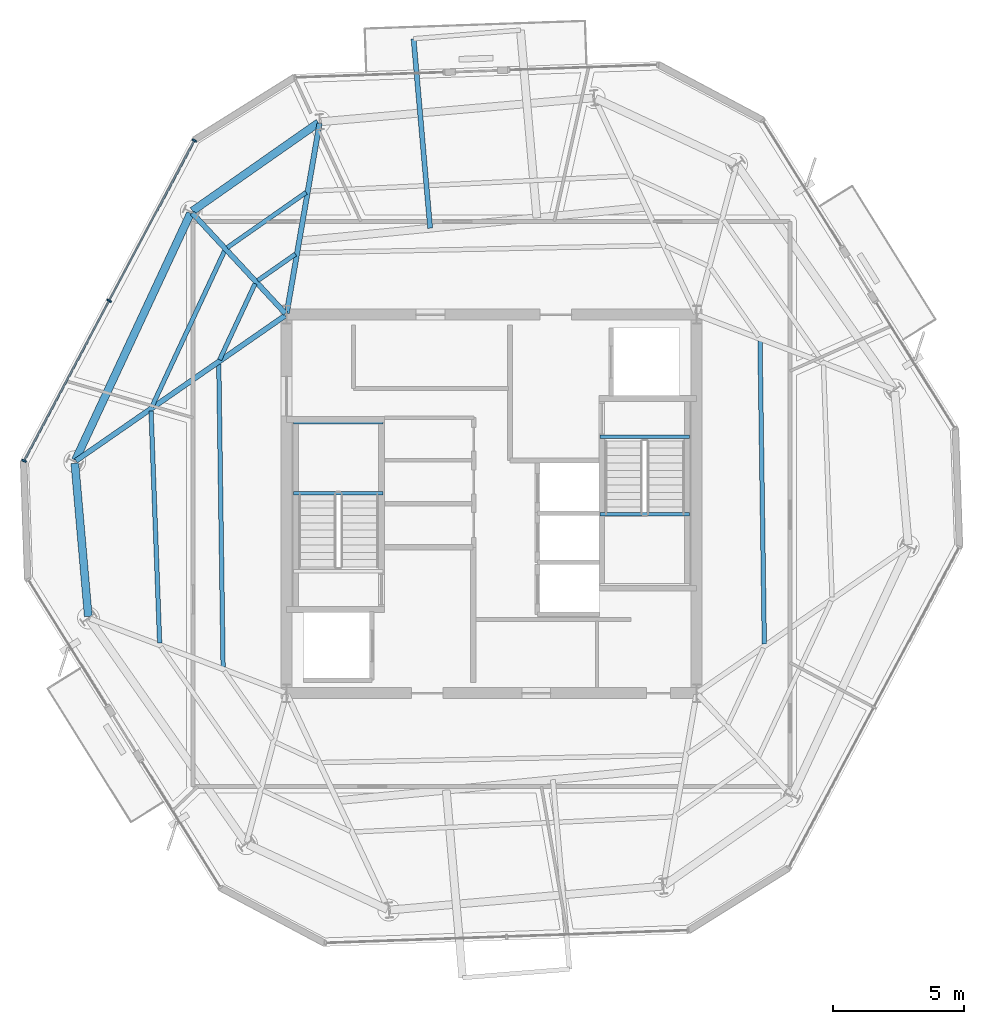
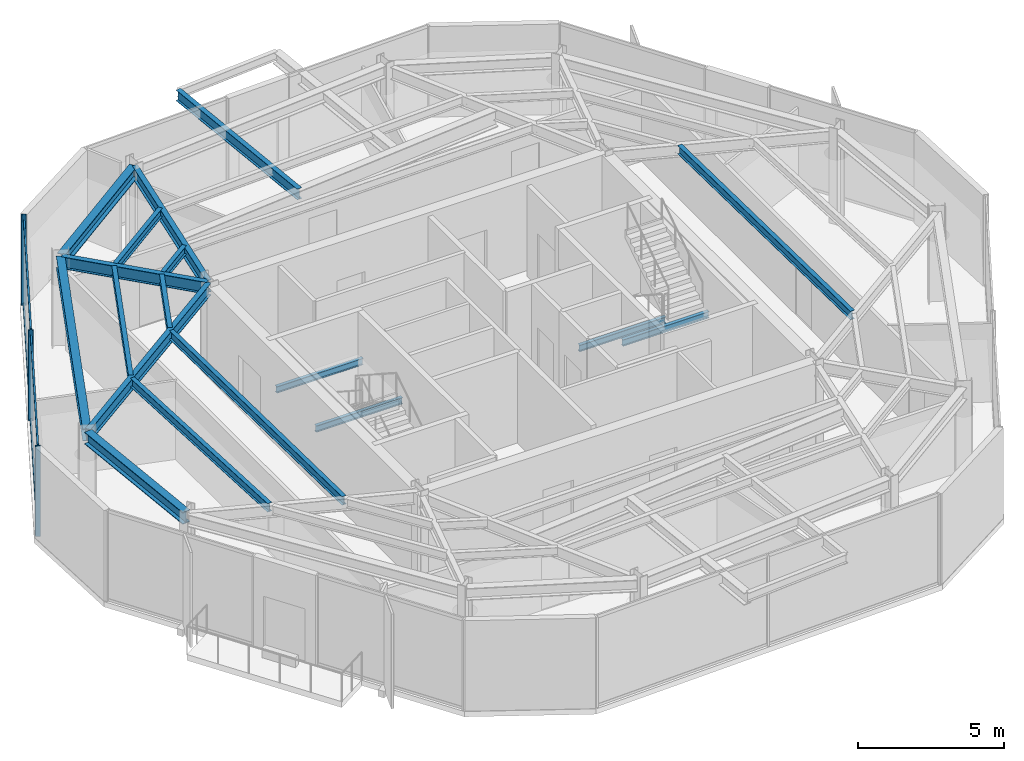
# One storey, part 3 of 11: 18 beams, 7 members, 1 element without a shape of its own.
"""IFC4 building model written with IfcOpenShell, lengths in metres."""

from ifc_helpers import new_model, si_unit, direction, frame, origin, origin_2d, place, context, subcontext, project, spatial, rectangle, i_section, extrude, material, layer, layer_set, material_profile, profile_set, type_object, element, aggregate, save


model = new_model("IFC4")

# Units and contexts
model_context = context("Model", 3, precision=1e-05, world=origin(), true_north=direction((0.0, 1.0)))
body_context = subcontext(model_context, "Body", "Model", "MODEL_VIEW")
ifc_project = project(units=[si_unit("LENGTHUNIT", "METRE"), si_unit("AREAUNIT", "SQUARE_METRE"), si_unit("VOLUMEUNIT", "CUBIC_METRE"), si_unit("PLANEANGLEUNIT", "RADIAN"), si_unit("MASSUNIT", "GRAM", prefix="KILO")], contexts=[model_context])

# Site, building, storey
site_placement = place(None, origin())
site = spatial("IfcSite", under=ifc_project, at=site_placement, CompositionType="ELEMENT")
building_placement = place(site_placement, origin())
building = spatial("IfcBuilding", under=site, at=building_placement, Name="Kranzbogen Civic Tower", CompositionType="ELEMENT")
storey_placement = place(building_placement, frame((0.0, 0.0, 274.199951171875)))
storey = spatial("IfcBuildingStorey", under=building, at=storey_placement, Name="L66", CompositionType="ELEMENT", Elevation=274.199951171875)

# Beam
ifc_material_1 = material(Name="Steel S355", Category="steel")
ifc_material_profile_1 = material_profile(ifc_material_1, i_section(OverallWidth=0.18994140625, OverallDepth=0.449951171875, WebThickness=0.009521484375, FlangeThickness=0.0146484375, at=origin_2d()), Name="IPE 450")
ifc_profile_set_1 = profile_set([ifc_material_profile_1], Name="Steel S355")
beam_type_1 = type_object("IfcBeamType", Name="Braced Terrace Edge Beam IPE 450", PredefinedType="BEAM", material=ifc_profile_set_1)
beam_1_placement = place(storey_placement, frame((22.6650390625, 35.489013671875, 3.525146484375), z_axis=(-0.087233929673, 0.99618785453, 0.0), x_axis=(-0.99618785453, -0.087233929673, 0.0)))
element("IfcBeam", 1, at=beam_1_placement, inside=storey, type_object=beam_type_1, Name="L67 back-spanned terrace beam L67-TB1-2", PredefinedType="BEAM", context=body_context, shape_type="SweptSolid", body=[
    extrude(i_section(OverallWidth=0.18994140625, OverallDepth=0.449951171875, WebThickness=0.009521484375, FlangeThickness=0.0146484375, at=origin_2d()), origin(), (0.0, 0.0, 1.0), 7.234619140625),
])

# Curtain wall, members
ifc_material_2 = material(Name="Pale Anodised Aluminium", Category="aluminium")
ifc_layer = layer(ifc_material_2, 0.219970703125, Name="Pale Anodised Aluminium")
ifc_layer_set = layer_set([ifc_layer], Name="Pale Anodised Aluminium")
curtain_wall_type = type_object("IfcCurtainWallType", Name="Zone 4 Stick Curtain Wall System CW-05", PredefinedType="USERDEFINED", material=ifc_layer_set)
curtain_wall_placement = place(storey_placement, origin())
curtain_wall = element("IfcCurtainWall", 2, at=curtain_wall_placement, inside=storey, type_object=curtain_wall_type, Name="L66 curtain wall CW-L66-F2", ObjectType="STICK CURTAIN WALL", PredefinedType="USERDEFINED")
ifc_material_profile_2 = material_profile(ifc_material_2, rectangle(XDim=0.06494140625, YDim=0.179931640625, at=origin_2d()), Name="ALU-M 65x180")
ifc_profile_set_2 = profile_set([ifc_material_profile_2], Name="Pale Anodised Aluminium")
member_type_1 = type_object("IfcMemberType", Name="Curtain Wall Mullion ALU-M 65x180", PredefinedType="MULLION", material=ifc_profile_set_2)
member_1_placement = place(storey_placement, frame((13.697021484375, 38.825439453125, 0.0), z_axis=(0.0, 0.0, 1.0), x_axis=(-0.469520855641, -0.882921381618, 0.0)))
member_1 = element("IfcMember", 3, at=member_1_placement, type_object=member_type_1, Name="CW-05 mullion 1", PredefinedType="MULLION", context=body_context, shape_type="SweptSolid", body=[
    extrude(rectangle(XDim=0.06494140625, YDim=0.179931640625, at=origin_2d()), origin(), (0.0, 0.0, 1.0), 3.780029296875),
])
member_2_placement = place(storey_placement, frame((10.45654296875, 32.73193359375, 0.0), z_axis=(0.0, 0.0, 1.0), x_axis=(-0.469520855641, -0.882921381618, 0.0)))
member_2 = element("IfcMember", 4, at=member_2_placement, type_object=member_type_1, Name="CW-05 mullion 2", PredefinedType="MULLION", context=body_context, shape_type="SweptSolid", body=[
    extrude(rectangle(XDim=0.06494140625, YDim=0.179931640625, at=origin_2d()), origin(), (0.0, 0.0, 1.0), 3.780029296875),
])
member_3_placement = place(storey_placement, frame((7.216064453125, 26.638427734375, 0.0), z_axis=(0.0, 0.0, 1.0), x_axis=(-0.469520855641, -0.882921381618, 0.0)))
member_3 = element("IfcMember", 5, at=member_3_placement, type_object=member_type_1, Name="CW-05 mullion 3", PredefinedType="MULLION", context=body_context, shape_type="SweptSolid", body=[
    extrude(rectangle(XDim=0.06494140625, YDim=0.179931640625, at=origin_2d()), origin(), (0.0, 0.0, 1.0), 3.780029296875),
])
ifc_material_profile_3 = material_profile(ifc_material_2, rectangle(XDim=0.06494140625, YDim=0.135009765625, at=origin_2d()), Name="ALU-T 65x135")
ifc_profile_set_3 = profile_set([ifc_material_profile_3], Name="Pale Anodised Aluminium")
member_type_2 = type_object("IfcMemberType", Name="Curtain Wall Transom ALU-T 65x135", PredefinedType="USERDEFINED", material=ifc_profile_set_3)
member_4_placement = place(storey_placement, frame((13.682861328125, 38.799072265625, 0.030029296875), z_axis=(-0.469511769143, -0.882926213585, 0.0), x_axis=(0.882926213585, -0.469511769143, 0.0)))
member_4 = element("IfcMember", 6, at=member_4_placement, type_object=member_type_2, Name="CW-05 transom 1.1", ObjectType="TRANSOM", PredefinedType="USERDEFINED", context=body_context, shape_type="SweptSolid", body=[
    extrude(rectangle(XDim=0.06494140625, YDim=0.135009765625, at=origin_2d()), origin(), (0.0, 0.0, 1.0), 6.841552734375),
])
member_5_placement = place(storey_placement, frame((13.682861328125, 38.799072265625, 3.75), z_axis=(-0.469511769143, -0.882926213585, 0.0), x_axis=(0.882926213585, -0.469511769143, 0.0)))
member_5 = element("IfcMember", 7, at=member_5_placement, type_object=member_type_2, Name="CW-05 transom 1.2", ObjectType="TRANSOM", PredefinedType="USERDEFINED", context=body_context, shape_type="SweptSolid", body=[
    extrude(rectangle(XDim=0.06494140625, YDim=0.135009765625, at=origin_2d()), origin(), (0.0, 0.0, 1.0), 6.841552734375),
])
member_6_placement = place(storey_placement, frame((10.4423828125, 32.70556640625, 0.030029296875), z_axis=(-0.469511769143, -0.882926213585, 0.0), x_axis=(0.882926213585, -0.469511769143, 0.0)))
member_6 = element("IfcMember", 8, at=member_6_placement, type_object=member_type_2, Name="CW-05 transom 2.1", ObjectType="TRANSOM", PredefinedType="USERDEFINED", context=body_context, shape_type="SweptSolid", body=[
    extrude(rectangle(XDim=0.06494140625, YDim=0.135009765625, at=origin_2d()), origin(), (0.0, 0.0, 1.0), 6.841552734375),
])
member_7_placement = place(storey_placement, frame((10.4423828125, 32.70556640625, 3.75), z_axis=(-0.469511769143, -0.882926213585, 0.0), x_axis=(0.882926213585, -0.469511769143, 0.0)))
member_7 = element("IfcMember", 9, at=member_7_placement, type_object=member_type_2, Name="CW-05 transom 2.2", ObjectType="TRANSOM", PredefinedType="USERDEFINED", context=body_context, shape_type="SweptSolid", body=[
    extrude(rectangle(XDim=0.06494140625, YDim=0.135009765625, at=origin_2d()), origin(), (0.0, 0.0, 1.0), 6.841552734375),
])
aggregate(curtain_wall, [member_1, member_2, member_3, member_4, member_5, member_6, member_7])

# Beams
ifc_material_profile_4 = material_profile(ifc_material_1, i_section(OverallWidth=0.300048828125, OverallDepth=0.5, WebThickness=0.014404296875, FlangeThickness=0.028076171875, at=origin_2d()), Name="HEB 500")
ifc_profile_set_4 = profile_set([ifc_material_profile_4], Name="Steel S355")
beam_type_2 = type_object("IfcBeamType", Name="Perimeter Tube Spandrel Beam HEB 500", PredefinedType="SPANDREL", material=ifc_profile_set_4)
beam_2_placement = place(storey_placement, frame((18.41796875, 39.501953125, 3.530029296875), z_axis=(-0.819059436004, -0.57370867197, 0.0), x_axis=(0.57370867197, -0.819059436004, 0.0)))
element("IfcBeam", 10, at=beam_2_placement, inside=storey, type_object=beam_type_2, Name="L66 perimeter spandrel beam 10", PredefinedType="SPANDREL", context=body_context, shape_type="SweptSolid", body=[
    extrude(i_section(OverallWidth=0.300048828125, OverallDepth=0.5, WebThickness=0.014404296875, FlangeThickness=0.028076171875, at=origin_2d()), origin(), (0.0, 0.0, 1.0), 5.85302734375),
])
beam_3_placement = place(storey_placement, frame((13.550048828125, 36.055908203125, 3.530029296875), z_axis=(-0.422668780888, -0.906284227857, 0.0), x_axis=(0.906284227857, -0.422668780888, 0.0)))
element("IfcBeam", 11, at=beam_3_placement, inside=storey, type_object=beam_type_2, Name="L66 perimeter spandrel beam 11", PredefinedType="SPANDREL", context=body_context, shape_type="SweptSolid", body=[
    extrude(i_section(OverallWidth=0.300048828125, OverallDepth=0.5, WebThickness=0.014404296875, FlangeThickness=0.028076171875, at=origin_2d()), origin(), (0.0, 0.0, 1.0), 10.363037109375),
])
beam_4_placement = place(storey_placement, frame((9.14990234375, 26.550048828125, 3.530029296875), z_axis=(0.087326362434, -0.99617975608, 0.0), x_axis=(0.99617975608, 0.087326362434, 0.0)))
element("IfcBeam", 12, at=beam_4_placement, inside=storey, type_object=beam_type_2, Name="L66 perimeter spandrel beam 12", PredefinedType="SPANDREL", context=body_context, shape_type="SweptSolid", body=[
    extrude(i_section(OverallWidth=0.300048828125, OverallDepth=0.5, WebThickness=0.014404296875, FlangeThickness=0.028076171875, at=origin_2d()), origin(), (0.0, 0.0, 1.0), 5.8515625),
])
ifc_material_profile_5 = material_profile(ifc_material_1, i_section(OverallWidth=0.199951171875, OverallDepth=0.5, WebThickness=0.01025390625, FlangeThickness=0.01611328125, at=origin_2d()), Name="IPE 500")
ifc_profile_set_5 = profile_set([ifc_material_profile_5], Name="Steel S355")
beam_type_3 = type_object("IfcBeamType", Name="Radial Tower Floor Girder IPE 500", PredefinedType="BEAM", material=ifc_profile_set_5)
beam_5_placement = place(storey_placement, frame((18.45703125, 39.47705078125, 3.530029296875), z_axis=(-0.170249558486, -0.985400978199, 0.0), x_axis=(0.985400978199, -0.170249558486, 0.0)))
element("IfcBeam", 13, at=beam_5_placement, inside=storey, type_object=beam_type_3, Name="L66 radial floor girder 10", PredefinedType="BEAM", context=body_context, shape_type="SweptSolid", body=[
    extrude(i_section(OverallWidth=0.199951171875, OverallDepth=0.5, WebThickness=0.01025390625, FlangeThickness=0.01611328125, at=origin_2d()), origin(), (0.0, 0.0, 1.0), 7.324951171875),
])
beam_6_placement = place(storey_placement, frame((13.615966796875, 36.06591796875, 3.530029296875), z_axis=(0.679827353702, -0.733372190064, 0.0), x_axis=(0.733372190064, 0.679827353702, 0.0)))
element("IfcBeam", 14, at=beam_6_placement, inside=storey, type_object=beam_type_3, Name="L66 radial floor girder 11", PredefinedType="BEAM", context=body_context, shape_type="SweptSolid", body=[
    extrude(i_section(OverallWidth=0.199951171875, OverallDepth=0.5, WebThickness=0.01025390625, FlangeThickness=0.01611328125, at=origin_2d()), origin(), (0.0, 0.0, 1.0), 5.211669921875),
])
beam_7_placement = place(storey_placement, frame((9.194091796875, 26.64404296875, 3.530029296875), z_axis=(0.821542812331, 0.570146829779, 0.0), x_axis=(-0.570146829779, 0.821542812331, 0.0)))
element("IfcBeam", 15, at=beam_7_placement, inside=storey, type_object=beam_type_3, Name="L66 radial floor girder 12", PredefinedType="BEAM", context=body_context, shape_type="SweptSolid", body=[
    extrude(i_section(OverallWidth=0.199951171875, OverallDepth=0.5, WebThickness=0.01025390625, FlangeThickness=0.01611328125, at=origin_2d()), origin(), (0.0, 0.0, 1.0), 9.68505859375),
])
ifc_material_profile_6 = material_profile(ifc_material_1, i_section(OverallWidth=0.169921875, OverallDepth=0.360107421875, WebThickness=0.008056640625, FlangeThickness=0.0126953125, at=origin_2d()), Name="IPE 360")
ifc_profile_set_6 = profile_set([ifc_material_profile_6], Name="Steel S355")
beam_type_4 = type_object("IfcBeamType", Name="Secondary Composite Floor Joist IPE 360", PredefinedType="JOIST", material=ifc_profile_set_6)
beam_8_placement = place(storey_placement, frame((35.3759765625, 19.6689453125, 3.60009765625), z_axis=(-0.014221385906, 0.999898870978, 0.0), x_axis=(-0.999898870978, -0.014221385906, 0.0)))
element("IfcBeam", 16, at=beam_8_placement, inside=storey, type_object=beam_type_4, Name="L66 secondary floor joist 2.06", PredefinedType="JOIST", context=body_context, shape_type="SweptSolid", body=[
    extrude(i_section(OverallWidth=0.169921875, OverallDepth=0.360107421875, WebThickness=0.008056640625, FlangeThickness=0.0126953125, at=origin_2d()), origin(), (0.0, 0.0, 1.0), 11.536376953125),
])
beam_9_placement = place(storey_placement, frame((17.945068359375, 36.84912109375, 3.60009765625), z_axis=(-0.819006333711, -0.573784476385, 0.0), x_axis=(0.573784476385, -0.819006333711, 0.0)))
element("IfcBeam", 17, at=beam_9_placement, inside=storey, type_object=beam_type_4, Name="L66 secondary floor joist 1.10", PredefinedType="JOIST", context=body_context, shape_type="SweptSolid", body=[
    extrude(i_section(OverallWidth=0.169921875, OverallDepth=0.360107421875, WebThickness=0.008056640625, FlangeThickness=0.0126953125, at=origin_2d()), origin(), (0.0, 0.0, 1.0), 3.661865234375),
])
beam_10_placement = place(storey_placement, frame((17.5400390625, 34.501953125, 3.60009765625), z_axis=(-0.818956727849, -0.573855276103, 0.0), x_axis=(0.573855276103, -0.818956727849, 0.0)))
element("IfcBeam", 18, at=beam_10_placement, inside=storey, type_object=beam_type_4, Name="L66 secondary floor joist 2.10", PredefinedType="JOIST", context=body_context, shape_type="SweptSolid", body=[
    extrude(i_section(OverallWidth=0.169921875, OverallDepth=0.360107421875, WebThickness=0.008056640625, FlangeThickness=0.0126953125, at=origin_2d()), origin(), (0.0, 0.0, 1.0), 1.751220703125),
])
beam_11_placement = place(storey_placement, frame((14.845947265625, 34.6298828125, 3.60009765625), z_axis=(-0.422542528713, -0.906343098075, 0.0), x_axis=(0.906343098075, -0.422542528713, 0.0)))
element("IfcBeam", 19, at=beam_11_placement, inside=storey, type_object=beam_type_4, Name="L66 secondary floor joist 1.11", PredefinedType="JOIST", context=body_context, shape_type="SweptSolid", body=[
    extrude(i_section(OverallWidth=0.169921875, OverallDepth=0.360107421875, WebThickness=0.008056640625, FlangeThickness=0.0126953125, at=origin_2d()), origin(), (0.0, 0.0, 1.0), 6.548095703125),
])
beam_12_placement = place(storey_placement, frame((16.006103515625, 33.37890625, 3.60009765625), z_axis=(-0.422651143991, -0.906292453065, 0.0), x_axis=(0.906292453065, -0.422651143991, 0.0)))
element("IfcBeam", 20, at=beam_12_placement, inside=storey, type_object=beam_type_4, Name="L66 secondary floor joist 2.11", PredefinedType="JOIST", context=body_context, shape_type="SweptSolid", body=[
    extrude(i_section(OverallWidth=0.169921875, OverallDepth=0.360107421875, WebThickness=0.008056640625, FlangeThickness=0.0126953125, at=origin_2d()), origin(), (0.0, 0.0, 1.0), 3.1943359375),
])
beam_13_placement = place(storey_placement, frame((12.048095703125, 28.5419921875, 3.60009765625), z_axis=(0.036992246074, -0.999315552631, 0.0), x_axis=(0.999315552631, 0.036992246074, 0.0)))
element("IfcBeam", 21, at=beam_13_placement, inside=storey, type_object=beam_type_4, Name="L66 secondary floor joist 1.12", PredefinedType="JOIST", context=body_context, shape_type="SweptSolid", body=[
    extrude(i_section(OverallWidth=0.169921875, OverallDepth=0.360107421875, WebThickness=0.008056640625, FlangeThickness=0.0126953125, at=origin_2d()), origin(), (0.0, 0.0, 1.0), 8.837158203125),
])
beam_14_placement = place(storey_placement, frame((14.6240234375, 30.3310546875, 3.60009765625), z_axis=(0.014221385906, -0.999898870978, 0.0), x_axis=(0.999898870978, 0.014221385906, 0.0)))
element("IfcBeam", 22, at=beam_14_placement, inside=storey, type_object=beam_type_4, Name="L66 secondary floor joist 2.12", PredefinedType="JOIST", context=body_context, shape_type="SweptSolid", body=[
    extrude(i_section(OverallWidth=0.169921875, OverallDepth=0.360107421875, WebThickness=0.008056640625, FlangeThickness=0.0126953125, at=origin_2d()), origin(), (0.0, 0.0, 1.0), 11.536376953125),
])
ifc_material_profile_7 = material_profile(ifc_material_1, i_section(OverallWidth=0.135009765625, OverallDepth=0.27001953125, WebThickness=0.006591796875, FlangeThickness=0.01025390625, at=origin_2d()), Name="IPE 270")
ifc_profile_set_7 = profile_set([ifc_material_profile_7], Name="Steel S355")
beam_type_5 = type_object("IfcBeamType", Name="Stair Landing Support Beam IPE 270", PredefinedType="JOIST", material=ifc_profile_set_7)
for number, where, z_axis, x_axis, name in (
    (23, (20.8798828125, 25.39990234375, 1.6650390625), (-1.0, 0.0, 0.0), (0.0, -1.0, 0.0), "L66 ST-T1 landing support beam 1.1"),
    (24, (20.8798828125, 28.10009765625, 1.6650390625), (-1.0, 0.0, 0.0), (0.0, -1.0, 0.0), "L66 ST-T1 landing support beam 1.2"),
    (25, (29.1201171875, 27.56005859375, -0.35498046875), (1.0, 0.0, 0.0), (0.0, 1.0, 0.0), "L66 ST-T2 stair floor header beam"),
    (26, (29.1201171875, 24.60009765625, 1.6650390625), (1.0, 0.0, 0.0), (0.0, 1.0, 0.0), "L66 ST-T2 landing support beam 1.1"),
):
    element("IfcBeam", number, at=place(storey_placement, frame(where, z_axis=z_axis, x_axis=x_axis)), inside=storey, type_object=beam_type_5, Name=name, PredefinedType="JOIST", context=body_context, shape_type="SweptSolid", body=[
        extrude(i_section(OverallWidth=0.135009765625, OverallDepth=0.27001953125, WebThickness=0.006591796875, FlangeThickness=0.01025390625, at=origin_2d()), origin(), (0.0, 0.0, 1.0), 3.409912109375),
    ])

save(model, "model.ifc")
